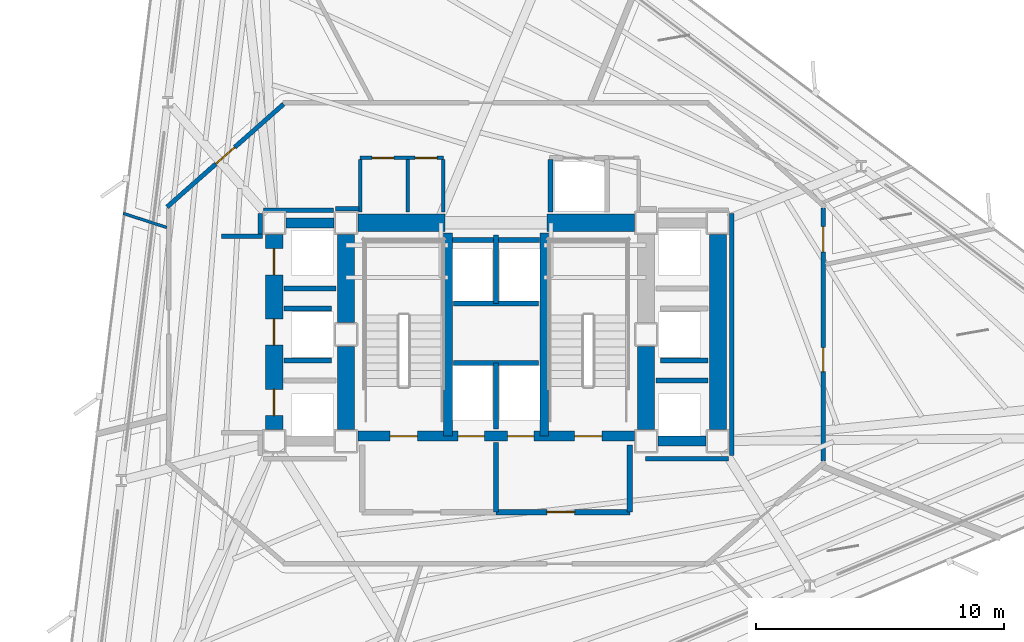
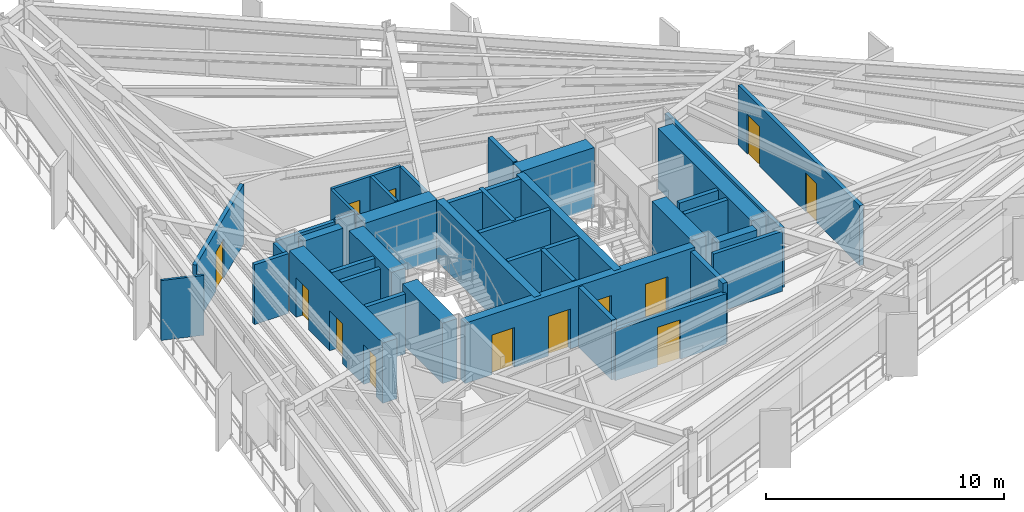
# One storey, part 7 of 13: 39 walls, 13 doors, 13 openings.
"""IFC4 building model written with IfcOpenShell, lengths in metres."""

import ifcopenshell
import ifcopenshell.guid

model = None  # the IFC model being written
_history = None  # IfcOwnerHistory: only IFC2X3 demands one
_inside = {}  # id of a spatial element -> (the spatial element, [elements in it])
_under = {}  # id of a project, library or spatial element -> (it, [spatial elements below it])
_declared = {}  # id of a project -> (the project, [libraries it declares])
_typed = {}  # id of a type object -> (the type object, [elements of that type])
_made_of = {}  # id of a material, layer set ... -> (it, [elements and type objects made of it])


def new_model(schema):
    """Start an empty IFC model of exactly this schema.

    Asked for "IFC4X3", IfcOpenShell would pick the latest addendum, in which some entities
    have other attributes; the version numbers below select the first issue.
    IFC2X3 requires an IfcOwnerHistory on every rooted entity: one is made here for all.
    """
    global model, _history
    if schema == "IFC4X3":
        model = ifcopenshell.file(schema_version=(4, 3, 0, 0))
    else:
        model = ifcopenshell.file(schema=schema)
    _inside.clear()
    _under.clear()
    _declared.clear()
    _typed.clear()
    _made_of.clear()
    _history = None
    if model.schema == "IFC2X3":
        org = make("IfcOrganization", Name="unknown")
        user = make(
            "IfcPersonAndOrganization",
            ThePerson=make("IfcPerson", FamilyName="unknown"),
            TheOrganization=org,
        )
        app = make(
            "IfcApplication",
            ApplicationDeveloper=org,
            Version="unknown",
            ApplicationFullName="unknown",
            ApplicationIdentifier="unknown",
        )
        _history = make(
            "IfcOwnerHistory",
            OwningUser=user,
            OwningApplication=app,
            ChangeAction="ADDED",
            CreationDate=0,
        )
    return model


def make(cls, **values):
    """One entity of the class cls with the attributes given. An attribute that is None is left unset."""
    return model.create_entity(
        cls, **{name: value for name, value in values.items() if value is not None}
    )


def rooted(cls, **values):
    """An entity with a GlobalId (a new one), such as an element, a storey or a relation."""
    return make(cls, GlobalId=ifcopenshell.guid.new(), OwnerHistory=_history, **values)


def si_unit(unit_type, name, prefix=None):
    """IfcSIUnit, for example si_unit("LENGTHUNIT", "METRE", prefix="MILLI")."""
    return make("IfcSIUnit", UnitType=unit_type, Prefix=prefix, Name=name)


def assignment(units):
    """IfcUnitAssignment: the units of a project."""
    return None if units is None else make("IfcUnitAssignment", Units=units)


def point(xyz):
    """IfcCartesianPoint."""
    return None if xyz is None else make("IfcCartesianPoint", Coordinates=xyz)


def direction(xyz):
    """IfcDirection."""
    return None if xyz is None else make("IfcDirection", DirectionRatios=xyz)


def frame(location, z_axis=None, x_axis=None):
    """IfcAxis2Placement3D, a coordinate frame: its origin and axes. An axis left out is left unset."""
    return make(
        "IfcAxis2Placement3D",
        Location=point(location),
        Axis=direction(z_axis),
        RefDirection=direction(x_axis),
    )


def frame_2d(location, x_axis=None):
    """IfcAxis2Placement2D, a coordinate frame in the plane: its origin and x axis."""
    return make(
        "IfcAxis2Placement2D", Location=point(location), RefDirection=direction(x_axis)
    )


def origin():
    """The frame at (0, 0, 0) with its axes left unset."""
    return frame((0.0, 0.0, 0.0))


def place(relative_to, where):
    """IfcLocalPlacement: puts the frame where relative to a parent placement (None: the world)."""
    return make(
        "IfcLocalPlacement", PlacementRelTo=relative_to, RelativePlacement=where
    )


def context(
    kind, dimensions, precision=None, world=None, true_north=None, identifier=None
):
    """IfcGeometricRepresentationContext, for example the 3D "Model" context."""
    return make(
        "IfcGeometricRepresentationContext",
        ContextIdentifier=identifier,
        ContextType=kind,
        CoordinateSpaceDimension=dimensions,
        Precision=precision,
        WorldCoordinateSystem=world,
        TrueNorth=true_north,
    )


def subcontext(parent, identifier, kind, view, scale=None):
    """IfcGeometricRepresentationSubContext, for example "Body" below "Model"."""
    return make(
        "IfcGeometricRepresentationSubContext",
        ContextIdentifier=identifier,
        ContextType=kind,
        ParentContext=parent,
        TargetScale=scale,
        TargetView=view,
    )


def project(units=None, contexts=None):
    """IfcProject with its units and contexts."""
    return rooted(
        "IfcProject",
        Name="project",
        RepresentationContexts=contexts,
        UnitsInContext=assignment(units),
    )


def spatial(cls, under=None, at=None, **own):
    """A site, building, storey or space (cls), placed at a placement, below another one or the project."""
    s = rooted(cls, ObjectPlacement=at, **own)
    if under is not None:
        _under.setdefault(under.id(), (under, []))[1].append(s)
    return s


def profile(cls, at=None, kind="AREA", **sizes):
    """A parametric profile (cls). Its sizes go by their IFC names, for example OverallWidth=200.0."""
    return make(cls, ProfileType=kind, Position=at, **sizes)


def rectangle(**sizes):
    """IfcRectangleProfileDef."""
    return profile("IfcRectangleProfileDef", **sizes)


def extrude(swept, where, along, depth):
    """IfcExtrudedAreaSolid: the profile swept, set in the frame where, extruded along a direction by depth."""
    return make(
        "IfcExtrudedAreaSolid",
        SweptArea=swept,
        Position=where,
        ExtrudedDirection=direction(along),
        Depth=depth,
    )


def shape(context_of_items, identifier, shape_type, items):
    """IfcShapeRepresentation: the items that make up one representation, for example the "Body"."""
    return make(
        "IfcShapeRepresentation",
        ContextOfItems=context_of_items,
        RepresentationIdentifier=identifier,
        RepresentationType=shape_type,
        Items=items,
    )


def material(Name=None, Category=None):
    """IfcMaterial."""
    return make("IfcMaterial", Name=Name, Category=Category)


def layer(
    of_material, thickness, ventilated=None, Name=None, Category=None, Priority=None
):
    """IfcMaterialLayer: one layer of a wall or slab, of a material (None: an air gap)."""
    return make(
        "IfcMaterialLayer",
        Material=of_material,
        LayerThickness=thickness,
        IsVentilated=ventilated,
        Name=Name,
        Category=Category,
        Priority=Priority,
    )


def layer_set(layers, Name=None):
    """IfcMaterialLayerSet."""
    return make("IfcMaterialLayerSet", MaterialLayers=layers, LayerSetName=Name)


def made_of(thing, what):
    """Note that an element or type object is made of a material, layer set ...; save() writes the relation."""
    if what is not None:
        _made_of.setdefault(what.id(), (what, []))[1].append(thing)
    return thing


def type_object(cls, material=None, **own):
    """A type object (cls), such as IfcWallType, which elements share."""
    return made_of(rooted(cls, **own), material)


def element(
    cls,
    number,
    at=None,
    inside=None,
    cuts=None,
    type_object=None,
    material=None,
    context=None,
    identifier="Body",
    shape_type=None,
    held_by="IfcProductDefinitionShape",
    body=None,
    shapes=None,
    **own,
):
    """One element of the class cls, such as IfcWall. Its Tag is "e" and its number.

    at: its placement. inside: the storey or other place that contains it. cuts: it is an
    opening in that element (IfcRelVoidsElement). A single representation is given by context,
    identifier, shape_type and body (its items); several are given by shapes. held_by: the class
    of the entity that holds the representations. save() writes the other relations.
    """
    e = rooted(cls, Tag="e%d" % number, ObjectPlacement=at, **own)
    if body is not None:
        shapes = [shape(context, identifier, shape_type, body)]
    if shapes is not None:
        e.Representation = make(held_by, Representations=shapes)
    if inside is not None:
        _inside.setdefault(inside.id(), (inside, []))[1].append(e)
    if cuts is not None:
        rooted(
            "IfcRelVoidsElement", RelatingBuildingElement=cuts, RelatedOpeningElement=e
        )
    if type_object is not None:
        _typed.setdefault(type_object.id(), (type_object, []))[1].append(e)
    return made_of(e, material)


def fill(opening, filler):
    """IfcRelFillsElement: the door or window that sits in an opening."""
    return rooted(
        "IfcRelFillsElement",
        RelatingOpeningElement=opening,
        RelatedBuildingElement=filler,
    )


def aggregate(whole, parts):
    """IfcRelAggregates: a whole, such as a stair, and the parts it consists of."""
    return rooted("IfcRelAggregates", RelatingObject=whole, RelatedObjects=parts)


def save(model, path):
    """Write the relations noted so far, then the file.

    IfcRelAggregates (storeys below a building ...), IfcRelContainedInSpatialStructure (elements
    in a storey), IfcRelDefinesByType, IfcRelAssociatesMaterial and IfcRelDeclares: one each for
    every whole, place, type object, material and project.
    """
    for whole, parts in _under.values():
        aggregate(whole, parts)
    for where, things in _inside.values():
        rooted(
            "IfcRelContainedInSpatialStructure",
            RelatedElements=things,
            RelatingStructure=where,
        )
    for kind, things in _typed.values():
        rooted("IfcRelDefinesByType", RelatedObjects=things, RelatingType=kind)
    for what, things in _made_of.values():
        rooted("IfcRelAssociatesMaterial", RelatedObjects=things, RelatingMaterial=what)
    for by, libraries in _declared.values():
        rooted("IfcRelDeclares", RelatingContext=by, RelatedDefinitions=libraries)
    model.write(path)


model = new_model("IFC4")

# Units and contexts
model_context = context("Model", 3, precision=1e-05, world=origin(), true_north=direction((0.0, 1.0)))
body_context = subcontext(model_context, "Body", "Model", "MODEL_VIEW")
ifc_project = project(units=[si_unit("LENGTHUNIT", "METRE"), si_unit("AREAUNIT", "SQUARE_METRE"), si_unit("VOLUMEUNIT", "CUBIC_METRE"), si_unit("PLANEANGLEUNIT", "RADIAN"), si_unit("MASSUNIT", "GRAM", prefix="KILO")], contexts=[model_context])

# Site, building, storey
site_placement = place(None, origin())
site = spatial("IfcSite", under=ifc_project, at=site_placement, CompositionType="ELEMENT")
building_placement = place(site_placement, origin())
building = spatial("IfcBuilding", under=site, at=building_placement, Name="Rocaltana Carrier Exchange", CompositionType="ELEMENT")
storey_placement = place(building_placement, frame((0.0, 0.0, 56.320068359375)))
storey = spatial("IfcBuildingStorey", under=building, at=storey_placement, Name="L17", CompositionType="ELEMENT", Elevation=56.320068359375)

# Walls
ifc_material_1 = material(Name="Concrete C50/60", Category="concrete")
ifc_layer_1 = layer(ifc_material_1, 0.35009765625)
ifc_layer_set_1 = layer_set([ifc_layer_1], Name="Concrete C50/60")
wall_type_1 = type_object("IfcWallType", Name="Core Internal Shear Wall 350", PredefinedType="SHEAR", material=ifc_layer_set_1)
for number, where, z_axis, x_axis, name in (
    (1, (-1.93994140625, -4.10009765625, 0.0), (0.0, 0.0, 1.0), (0.0, 1.0, 0.0), "L17 Core Shear Wall CW-STW"),
    (2, (1.93994140625, -4.10009765625, 0.0), (0.0, 0.0, 1.0), (0.0, 1.0, 0.0), "L17 Core Shear Wall CW-STE"),
):
    element("IfcWall", number, at=place(storey_placement, frame(where, z_axis=z_axis, x_axis=x_axis)), inside=storey, type_object=wall_type_1, Name=name, PredefinedType="SHEAR", context=body_context, shape_type="SweptSolid", body=[
        extrude(rectangle(XDim=8.2001953125, YDim=0.35009765625, at=frame_2d((4.10009765625, 0.0))), origin(), (0.0, 0.0, 1.0), 3.097900390625),
    ])

# Wall, openings, doors
ifc_material_2 = material(Name="Concrete C50/60", Category="concrete")
ifc_layer_2 = layer(ifc_material_2, 0.39990234375)
ifc_layer_set_2 = layer_set([ifc_layer_2], Name="Concrete C50/60")
wall_type_2 = type_object("IfcWallType", Name="Core Internal Shear Wall 400", PredefinedType="SHEAR", material=ifc_layer_set_2)
wall_1_placement = place(storey_placement, frame((-5.574951171875, -4.10009765625, 0.0), z_axis=(0.0, 0.0, 1.0), x_axis=(1.0, 0.0, 0.0)))
wall_1 = element("IfcWall", 3, at=wall_1_placement, inside=storey, type_object=wall_type_2, Name="L17 Core Shear Wall CW-S", PredefinedType="SHEAR", context=body_context, shape_type="SweptSolid", body=[
    extrude(rectangle(XDim=11.14990234375, YDim=0.39990234375, at=frame_2d((5.574951171875, 0.0))), origin(), (0.0, 0.0, 1.0), 3.097900390625),
])
opening_1_placement = place(wall_1_placement, frame((1.304931640625, 0.0, 0.0)))
opening_1 = element("IfcOpeningElement", 4, at=opening_1_placement, cuts=wall_1, Name="Opening D-ST110", PredefinedType="OPENING", context=body_context, shape_type="SweptSolid", body=[
    extrude(rectangle(XDim=1.10009765625, YDim=2.0400390625, at=frame_2d((0.550048828125, 1.02001953125))), frame((0.0, 0.2099609375, 0.0), z_axis=(0.0, -1.0, 0.0), x_axis=(1.0, 0.0, 0.0)), (0.0, 0.0, 1.0), 0.419921875),
])
opening_2_placement = place(wall_1_placement, frame((8.7451171875, 0.0, 0.0)))
opening_2 = element("IfcOpeningElement", 5, at=opening_2_placement, cuts=wall_1, Name="Opening D-ST110", PredefinedType="OPENING", context=body_context, shape_type="SweptSolid", body=[
    extrude(rectangle(XDim=1.10009765625, YDim=2.0400390625, at=frame_2d((0.550048828125, 1.02001953125))), frame((0.0, 0.2099609375, 0.0), z_axis=(0.0, -1.0, 0.0), x_axis=(1.0, 0.0, 0.0)), (0.0, 0.0, 1.0), 0.419921875),
])
opening_3_placement = place(wall_1_placement, frame((4.044921875, 0.0, 0.0)))
opening_3 = element("IfcOpeningElement", 6, at=opening_3_placement, cuts=wall_1, Name="Opening LD-110", PredefinedType="OPENING", context=body_context, shape_type="SweptSolid", body=[
    extrude(rectangle(XDim=1.06005859375, YDim=2.0400390625, at=frame_2d((0.530029296875, 1.02001953125))), frame((0.0, 0.2099609375, 0.0), z_axis=(0.0, -1.0, 0.0), x_axis=(1.0, 0.0, 0.0)), (0.0, 0.0, 1.0), 0.419921875),
])
opening_4_placement = place(wall_1_placement, frame((6.044921875, 0.0, 0.0)))
opening_4 = element("IfcOpeningElement", 7, at=opening_4_placement, cuts=wall_1, Name="Opening LD-110", PredefinedType="OPENING", context=body_context, shape_type="SweptSolid", body=[
    extrude(rectangle(XDim=1.06005859375, YDim=2.0400390625, at=frame_2d((0.530029296875, 1.02001953125))), frame((0.0, 0.2099609375, 0.0), z_axis=(0.0, -1.0, 0.0), x_axis=(1.0, 0.0, 0.0)), (0.0, 0.0, 1.0), 0.419921875),
])
ifc_material_3 = material(Name="Hollow Metal Fire Door Assembly", Category="steel")
door_type_1 = type_object("IfcDoorType", Name="Exit Stair Fire Door 1100x2040 FD90S", OperationType="NOTDEFINED", PredefinedType="DOOR", material=ifc_material_3)
door_1_placement = place(opening_1_placement, origin())
door_1 = element("IfcDoor", 8, at=door_1_placement, inside=storey, type_object=door_type_1, Name="L17 Exit Stair ST1 Fire Door", OperationType="SINGLE_SWING_RIGHT", OverallHeight=2.0400390625, OverallWidth=1.10009765625, PredefinedType="DOOR", context=body_context, shape_type="SweptSolid", body=[
    extrude(rectangle(XDim=1.10009765625, YDim=2.0400390625, at=frame_2d((0.550048828125, 1.02001953125))), frame((0.0, 0.02490234375, 0.0), z_axis=(0.0, -1.0, 0.0), x_axis=(1.0, 0.0, 0.0)), (0.0, 0.0, 1.0), 0.050048828125),
])
fill(opening_1, door_1)
door_2_placement = place(opening_2_placement, origin())
door_2 = element("IfcDoor", 9, at=door_2_placement, inside=storey, type_object=door_type_1, Name="L17 Exit Stair ST2 Fire Door", OperationType="SINGLE_SWING_LEFT", OverallHeight=2.0400390625, OverallWidth=1.10009765625, PredefinedType="DOOR", context=body_context, shape_type="SweptSolid", body=[
    extrude(rectangle(XDim=1.10009765625, YDim=2.0400390625, at=frame_2d((0.550048828125, 1.02001953125))), frame((0.0, 0.02490234375, 0.0), z_axis=(0.0, -1.0, 0.0), x_axis=(1.0, 0.0, 0.0)), (0.0, 0.0, 1.0), 0.050048828125),
])
fill(opening_2, door_2)
ifc_material_4 = material(Name="Brushed Stainless Sliding Door Leaf", Category="steel")
door_type_2 = type_object("IfcDoorType", Name="Lift Landing Sliding Door 1060x2040", OperationType="NOTDEFINED", PredefinedType="DOOR", material=ifc_material_4)
door_3_placement = place(opening_3_placement, origin())
door_3 = element("IfcDoor", 10, at=door_3_placement, inside=storey, type_object=door_type_2, Name="L17 Firefighting Lift FFL1 Landing Door", OperationType="SLIDING_TO_LEFT", OverallHeight=2.0400390625, OverallWidth=1.06005859375, PredefinedType="DOOR", context=body_context, shape_type="SweptSolid", body=[
    extrude(rectangle(XDim=1.06005859375, YDim=2.0400390625, at=frame_2d((0.530029296875, 1.02001953125))), frame((0.0, 0.02490234375, 0.0), z_axis=(0.0, -1.0, 0.0), x_axis=(1.0, 0.0, 0.0)), (0.0, 0.0, 1.0), 0.050048828125),
])
fill(opening_3, door_3)
door_4_placement = place(opening_4_placement, origin())
door_4 = element("IfcDoor", 11, at=door_4_placement, inside=storey, type_object=door_type_2, Name="L17 Firefighting Lift FFL2 Landing Door", OperationType="SLIDING_TO_RIGHT", OverallHeight=2.0400390625, OverallWidth=1.06005859375, PredefinedType="DOOR", context=body_context, shape_type="SweptSolid", body=[
    extrude(rectangle(XDim=1.06005859375, YDim=2.0400390625, at=frame_2d((0.530029296875, 1.02001953125))), frame((0.0, 0.02490234375, 0.0), z_axis=(0.0, -1.0, 0.0), x_axis=(1.0, 0.0, 0.0)), (0.0, 0.0, 1.0), 0.050048828125),
])
fill(opening_4, door_4)

# Walls
for number, where, z_axis, x_axis, name in (
    (12, (-8.47509765625, 4.5, 0.0), (0.0, 0.0, 1.0), (1.0, 0.0, 0.0), "L17 Core Shear Wall CW-WWN"),
    (13, (6.52490234375, -4.300048828125, 0.0), (0.0, 0.0, 1.0), (1.0, 0.0, 0.0), "L17 Core Shear Wall CW-EWS"),
):
    element("IfcWall", number, at=place(storey_placement, frame(where, z_axis=z_axis, x_axis=x_axis)), inside=storey, type_object=wall_type_2, Name=name, PredefinedType="SHEAR", context=body_context, shape_type="SweptSolid", body=[
        extrude(rectangle(XDim=1.9501953125, YDim=0.39990234375, at=frame_2d((0.97509765625, 0.0))), origin(), (0.0, 0.0, 1.0), 3.097900390625),
    ])
ifc_material_5 = material(Name="Concrete C60/75", Category="concrete")
ifc_layer_3 = layer(ifc_material_5, 0.699951171875)
ifc_layer_set_3 = layer_set([ifc_layer_3], Name="Concrete C60/75")
wall_type_3 = type_object("IfcWallType", Name="Core Shear Wall 700", PredefinedType="SHEAR", material=ifc_layer_set_3)
wall_2_placement = place(storey_placement, frame((-6.050048828125, 0.47509765625, 0.0), z_axis=(0.0, 0.0, 1.0), x_axis=(0.0, 1.0, 0.0)))
element("IfcWall", 14, at=wall_2_placement, inside=storey, type_object=wall_type_3, Name="L17 Core Shear Wall CW-WN", PredefinedType="SHEAR", context=body_context, shape_type="SweptSolid", body=[
    extrude(rectangle(XDim=3.5498046875, YDim=0.699951171875, at=frame_2d((1.77490234375, 0.0))), origin(), (0.0, 0.0, 1.0), 3.097900390625),
])
for number, where, z_axis, x_axis, name in (
    (15, (-6.050048828125, -3.824951171875, 0.0), (0.0, 0.0, 1.0), (0.0, 1.0, 0.0), "L17 Core Shear Wall CW-WS"),
    (16, (6.050048828125, -3.824951171875, 0.0), (0.0, 0.0, 1.0), (0.0, 1.0, 0.0), "L17 Core Shear Wall CW-ES"),
):
    element("IfcWall", number, at=place(storey_placement, frame(where, z_axis=z_axis, x_axis=x_axis)), inside=storey, type_object=wall_type_3, Name=name, PredefinedType="SHEAR", context=body_context, shape_type="SweptSolid", body=[
        extrude(rectangle(XDim=3.349853515625, YDim=0.699951171875, at=frame_2d((1.6748046875, 0.0))), origin(), (0.0, 0.0, 1.0), 3.097900390625),
    ])
for number, where, z_axis, x_axis, name in (
    (17, (-5.574951171875, 4.5, 0.0), (0.0, 0.0, 1.0), (1.0, 0.0, 0.0), "L17 Core Shear Wall CW-N1"),
    (18, (2.050048828125, 4.5, 0.0), (0.0, 0.0, 1.0), (1.0, 0.0, 0.0), "L17 Core Shear Wall CW-N2"),
):
    element("IfcWall", number, at=place(storey_placement, frame(where, z_axis=z_axis, x_axis=x_axis)), inside=storey, type_object=wall_type_3, Name=name, PredefinedType="SHEAR", context=body_context, shape_type="SweptSolid", body=[
        extrude(rectangle(XDim=3.52490234375, YDim=0.699951171875, at=frame_2d((1.762451171875, 0.0))), origin(), (0.0, 0.0, 1.0), 3.097900390625),
    ])

# Wall, openings, doors
wall_3_placement = place(storey_placement, frame((-8.949951171875, -3.824951171875, 0.0), z_axis=(0.0, 0.0, 1.0), x_axis=(0.0, 1.0, 0.0)))
wall_3 = element("IfcWall", 19, at=wall_3_placement, inside=storey, type_object=wall_type_3, Name="L17 Core Shear Wall CW-WW", PredefinedType="SHEAR", context=body_context, shape_type="SweptSolid", body=[
    extrude(rectangle(XDim=7.849853515625, YDim=0.699951171875, at=frame_2d((3.9248046875, 0.0))), origin(), (0.0, 0.0, 1.0), 3.097900390625),
])
opening_5_placement = place(wall_3_placement, frame((0.550048828125, 0.0, 0.0)))
opening_5 = element("IfcOpeningElement", 20, at=opening_5_placement, cuts=wall_3, Name="Opening LD-110", PredefinedType="OPENING", context=body_context, shape_type="SweptSolid", body=[
    extrude(rectangle(XDim=1.06005859375, YDim=2.0400390625, at=frame_2d((0.530029296875, 1.02001953125))), frame((0.0, 0.35986328125, 0.0), z_axis=(0.0, -1.0, 0.0), x_axis=(1.0, 0.0, 0.0)), (0.0, 0.0, 1.0), 0.719970703125),
])
opening_6_placement = place(wall_3_placement, frame((3.39501953125, 0.0, 0.0)))
opening_6 = element("IfcOpeningElement", 21, at=opening_6_placement, cuts=wall_3, Name="Opening LD-110", PredefinedType="OPENING", context=body_context, shape_type="SweptSolid", body=[
    extrude(rectangle(XDim=1.06005859375, YDim=2.0400390625, at=frame_2d((0.530029296875, 1.02001953125))), frame((0.0, 0.35986328125, 0.0), z_axis=(0.0, -1.0, 0.0), x_axis=(1.0, 0.0, 0.0)), (0.0, 0.0, 1.0), 0.719970703125),
])
opening_7_placement = place(wall_3_placement, frame((6.22998046875, 0.0, 0.0)))
opening_7 = element("IfcOpeningElement", 22, at=opening_7_placement, cuts=wall_3, Name="Opening LD-110", PredefinedType="OPENING", context=body_context, shape_type="SweptSolid", body=[
    extrude(rectangle(XDim=1.06005859375, YDim=2.0400390625, at=frame_2d((0.530029296875, 1.02001953125))), frame((0.0, 0.35986328125, 0.0), z_axis=(0.0, -1.0, 0.0), x_axis=(1.0, 0.0, 0.0)), (0.0, 0.0, 1.0), 0.719970703125),
])
door_5_placement = place(opening_5_placement, origin())
door_5 = element("IfcDoor", 23, at=door_5_placement, inside=storey, type_object=door_type_2, Name="L17 Low-Rise Lift PL-L1 Landing Door", OperationType="SLIDING_TO_LEFT", OverallHeight=2.0400390625, OverallWidth=1.06005859375, PredefinedType="DOOR", context=body_context, shape_type="SweptSolid", body=[
    extrude(rectangle(XDim=1.06005859375, YDim=2.0400390625, at=frame_2d((0.530029296875, 1.02001953125))), frame((0.0, 0.02490234375, 0.0), z_axis=(0.0, -1.0, 0.0), x_axis=(1.0, 0.0, 0.0)), (0.0, 0.0, 1.0), 0.050048828125),
])
fill(opening_5, door_5)
door_6_placement = place(opening_6_placement, origin())
door_6 = element("IfcDoor", 24, at=door_6_placement, inside=storey, type_object=door_type_2, Name="L17 Low-Rise Lift PL-L2 Landing Door", OperationType="SLIDING_TO_RIGHT", OverallHeight=2.0400390625, OverallWidth=1.06005859375, PredefinedType="DOOR", context=body_context, shape_type="SweptSolid", body=[
    extrude(rectangle(XDim=1.06005859375, YDim=2.0400390625, at=frame_2d((0.530029296875, 1.02001953125))), frame((0.0, 0.02490234375, 0.0), z_axis=(0.0, -1.0, 0.0), x_axis=(1.0, 0.0, 0.0)), (0.0, 0.0, 1.0), 0.050048828125),
])
fill(opening_6, door_6)
door_7_placement = place(opening_7_placement, origin())
door_7 = element("IfcDoor", 25, at=door_7_placement, inside=storey, type_object=door_type_2, Name="L17 Low-Rise Lift PL-L3 Landing Door", OperationType="SLIDING_TO_LEFT", OverallHeight=2.0400390625, OverallWidth=1.06005859375, PredefinedType="DOOR", context=body_context, shape_type="SweptSolid", body=[
    extrude(rectangle(XDim=1.06005859375, YDim=2.0400390625, at=frame_2d((0.530029296875, 1.02001953125))), frame((0.0, 0.02490234375, 0.0), z_axis=(0.0, -1.0, 0.0), x_axis=(1.0, 0.0, 0.0)), (0.0, 0.0, 1.0), 0.050048828125),
])
fill(opening_7, door_7)

# Wall
wall_4_placement = place(storey_placement, frame((8.949951171875, -3.824951171875, 0.0), z_axis=(0.0, 0.0, 1.0), x_axis=(0.0, 1.0, 0.0)))
element("IfcWall", 26, at=wall_4_placement, inside=storey, type_object=wall_type_3, Name="L17 Core Shear Wall CW-EW", PredefinedType="SHEAR", context=body_context, shape_type="SweptSolid", body=[
    extrude(rectangle(XDim=7.849853515625, YDim=0.699951171875, at=frame_2d((3.9248046875, 0.0))), origin(), (0.0, 0.0, 1.0), 3.097900390625),
])

# Wall, openings, doors
ifc_material_6 = material(Name="Gypsum & Steel Stud Partition", Category="steel")
ifc_layer_4 = layer(ifc_material_6, 0.179931640625)
ifc_layer_set_4 = layer_set([ifc_layer_4], Name="Gypsum & Steel Stud Partition")
wall_type_4 = type_object("IfcWallType", Name="Corridor Fire Partition 180 EI60", PredefinedType="PARTITIONING", material=ifc_layer_set_4)
wall_5_placement = place(storey_placement, frame((13.199951171875, 5.110107421875, 0.0), z_axis=(0.0, 0.0, 1.0), x_axis=(0.0, -1.0, 0.0)))
wall_5 = element("IfcWall", 27, at=wall_5_placement, inside=storey, type_object=wall_type_4, Name="L17 Corridor Partition 3", PredefinedType="PARTITIONING", context=body_context, shape_type="SweptSolid", body=[
    extrude(rectangle(XDim=10.22021484375, YDim=0.179931640625, at=frame_2d((5.110107421875, 0.0))), origin(), (0.0, 0.0, 1.0), 3.072998046875),
])
opening_8_placement = place(wall_5_placement, frame((5.644287109375, 0.0, 0.0)))
opening_8 = element("IfcOpeningElement", 28, at=opening_8_placement, cuts=wall_5, Name="Opening D-RM098", PredefinedType="OPENING", context=body_context, shape_type="SweptSolid", body=[
    extrude(rectangle(XDim=0.9599609375, YDim=2.02001953125, at=frame_2d((0.47998046875, 1.010009765625))), frame((0.0, 0.099853515625, 0.0), z_axis=(0.0, -1.0, 0.0), x_axis=(1.0, 0.0, 0.0)), (0.0, 0.0, 1.0), 0.199951171875),
])
opening_9_placement = place(wall_5_placement, frame((0.762939453125, 0.0, 0.0)))
opening_9 = element("IfcOpeningElement", 29, at=opening_9_placement, cuts=wall_5, Name="Opening D-LB104", PredefinedType="OPENING", context=body_context, shape_type="SweptSolid", body=[
    extrude(rectangle(XDim=1.02001953125, YDim=2.02001953125, at=frame_2d((0.510009765625, 1.010009765625))), frame((0.0, 0.099853515625, 0.0), z_axis=(0.0, -1.0, 0.0), x_axis=(1.0, 0.0, 0.0)), (0.0, 0.0, 1.0), 0.199951171875),
])
ifc_material_7 = material(Name="Powder-Coated Aluminium 6063-T6", Category="aluminium")
door_type_3 = type_object("IfcDoorType", Name="Laboratory Acoustic Door 1020x2020", OperationType="NOTDEFINED", PredefinedType="DOOR", material=ifc_material_7)
door_8_placement = place(opening_9_placement, origin())
door_8 = element("IfcDoor", 30, at=door_8_placement, inside=storey, type_object=door_type_3, Name="L17 Protocol Calibration Laboratory Entrance Door", OperationType="SINGLE_SWING_LEFT", OverallHeight=2.02001953125, OverallWidth=1.02001953125, PredefinedType="DOOR", context=body_context, shape_type="SweptSolid", body=[
    extrude(rectangle(XDim=1.02001953125, YDim=2.02001953125, at=frame_2d((0.510009765625, 1.010009765625))), frame((0.0, 0.02490234375, 0.0), z_axis=(0.0, -1.0, 0.0), x_axis=(1.0, 0.0, 0.0)), (0.0, 0.0, 1.0), 0.050048828125),
])
fill(opening_9, door_8)
ifc_material_8 = material(Name="Engineered Hardwood Timber", Category="wood")
door_type_4 = type_object("IfcDoorType", Name="Workspace Single Door 960x2020", OperationType="NOTDEFINED", PredefinedType="DOOR", material=ifc_material_8)
door_9_placement = place(opening_8_placement, origin())
door_9 = element("IfcDoor", 31, at=door_9_placement, inside=storey, type_object=door_type_4, Name="L17 Peering Conference Room Entrance Door", OperationType="SINGLE_SWING_RIGHT", OverallHeight=2.02001953125, OverallWidth=0.9599609375, PredefinedType="DOOR", context=body_context, shape_type="SweptSolid", body=[
    extrude(rectangle(XDim=0.9599609375, YDim=2.02001953125, at=frame_2d((0.47998046875, 1.010009765625))), frame((0.0, 0.02490234375, 0.0), z_axis=(0.0, -1.0, 0.0), x_axis=(1.0, 0.0, 0.0)), (0.0, 0.0, 1.0), 0.050048828125),
])
fill(opening_8, door_9)

# Wall, opening, door
wall_6_placement = place(storey_placement, frame((-13.267578125, 5.140380859375, 0.0), z_axis=(0.0, 0.0, 1.0), x_axis=(0.749626463267, 0.66186113768, 0.0)))
wall_6 = element("IfcWall", 32, at=wall_6_placement, inside=storey, type_object=wall_type_4, Name="L17 Corridor Partition 8", PredefinedType="PARTITIONING", context=body_context, shape_type="SweptSolid", body=[
    extrude(rectangle(XDim=6.27001953125, YDim=0.179931640625, at=frame_2d((3.135009765625, 0.0))), origin(), (0.0, 0.0, 1.0), 3.072998046875),
])
opening_10_placement = place(wall_6_placement, frame((2.625, 0.0, 0.0)))
opening_10 = element("IfcOpeningElement", 33, at=opening_10_placement, cuts=wall_6, Name="Opening D-LB104", PredefinedType="OPENING", context=body_context, shape_type="SweptSolid", body=[
    extrude(rectangle(XDim=1.02001953125, YDim=2.02001953125, at=frame_2d((0.510009765625, 1.010009765625))), frame((0.0, 0.099853515625, 0.0), z_axis=(0.0, -1.0, 0.0), x_axis=(1.0, 0.0, 0.0)), (0.0, 0.0, 1.0), 0.199951171875),
])
door_10_placement = place(opening_10_placement, origin())
door_10 = element("IfcDoor", 34, at=door_10_placement, inside=storey, type_object=door_type_3, Name="L17 Photonic Integration Workshop Entrance Door", OperationType="SINGLE_SWING_RIGHT", OverallHeight=2.02001953125, OverallWidth=1.02001953125, PredefinedType="DOOR", context=body_context, shape_type="SweptSolid", body=[
    extrude(rectangle(XDim=1.02001953125, YDim=2.02001953125, at=frame_2d((0.510009765625, 1.010009765625))), frame((0.0, 0.02490234375, 0.0), z_axis=(0.0, -1.0, 0.0), x_axis=(1.0, 0.0, 0.0)), (0.0, 0.0, 1.0), 0.050048828125),
])
fill(opening_10, door_10)

# Walls
wall_7_placement = place(storey_placement, frame((-9.510009765625, 4.8701171875, 0.0), z_axis=(0.0, 0.0, 1.0), x_axis=(0.0, -1.0, 0.0)))
element("IfcWall", 35, at=wall_7_placement, inside=storey, type_object=wall_type_4, Name="L17 Corridor Partition 9", PredefinedType="PARTITIONING", context=body_context, shape_type="SweptSolid", body=[
    extrude(rectangle(XDim=0.820068359375, YDim=0.179931640625, at=frame_2d((0.41015625, 0.0))), origin(), (0.0, 0.0, 1.0), 3.072998046875),
])
wall_8_placement = place(storey_placement, frame((-9.419921875, 3.9599609375, 0.0), z_axis=(0.0, 0.0, 1.0), x_axis=(-1.0, 0.0, 0.0)))
element("IfcWall", 36, at=wall_8_placement, inside=storey, type_object=wall_type_4, Name="L17 Corridor Partition 10", PredefinedType="PARTITIONING", context=body_context, shape_type="SweptSolid", body=[
    extrude(rectangle(XDim=1.650146484375, YDim=0.179931640625, at=frame_2d((0.8251953125, 0.0))), origin(), (0.0, 0.0, 1.0), 3.072998046875),
])
wall_9_placement = place(storey_placement, frame((6.030029296875, -5.010009765625, 0.0), z_axis=(0.0, 0.0, 1.0), x_axis=(1.0, 0.0, 0.0)))
element("IfcWall", 37, at=wall_9_placement, inside=storey, type_object=wall_type_4, Name="L17 Corridor Partition 16", PredefinedType="PARTITIONING", context=body_context, shape_type="SweptSolid", body=[
    extrude(rectangle(XDim=3.340087890625, YDim=0.179931640625, at=frame_2d((1.669921875, 0.0))), origin(), (0.0, 0.0, 1.0), 3.072998046875),
])
wall_10_placement = place(storey_placement, frame((9.510009765625, -4.8701171875, 0.0), z_axis=(0.0, 0.0, 1.0), x_axis=(0.0, 1.0, 0.0)))
element("IfcWall", 38, at=wall_10_placement, inside=storey, type_object=wall_type_4, Name="L17 Corridor Partition 17", PredefinedType="PARTITIONING", context=body_context, shape_type="SweptSolid", body=[
    extrude(rectangle(XDim=9.740234375, YDim=0.179931640625, at=frame_2d((4.8701171875, 0.0))), origin(), (0.0, 0.0, 1.0), 3.072998046875),
])
wall_11_placement = place(storey_placement, frame((-5.52001953125, 5.080078125, 0.0), z_axis=(0.0, 0.0, 1.0), x_axis=(-1.0, 0.0, 0.0)))
element("IfcWall", 39, at=wall_11_placement, inside=storey, type_object=wall_type_4, Name="L17 Corridor Partition 22", PredefinedType="PARTITIONING", context=body_context, shape_type="SweptSolid", body=[
    extrude(rectangle(XDim=0.949951171875, YDim=0.179931640625, at=frame_2d((0.47509765625, 0.0))), origin(), (0.0, 0.0, 1.0), 3.072998046875),
])
wall_12_placement = place(storey_placement, frame((-6.562255859375, 5.010009765625, 0.0), z_axis=(0.0, 0.0, 1.0), x_axis=(-1.0, 0.0, 0.0)))
element("IfcWall", 40, at=wall_12_placement, inside=storey, type_object=wall_type_4, Name="L17 Corridor Partition 23", PredefinedType="PARTITIONING", context=body_context, shape_type="SweptSolid", body=[
    extrude(rectangle(XDim=2.807861328125, YDim=0.179931640625, at=frame_2d((1.40380859375, 0.0))), origin(), (0.0, 0.0, 1.0), 3.072998046875),
])
ifc_material_9 = material(Name="Aluminium 6063-T6 & Acoustic Glass", Category="aluminium")
ifc_layer_5 = layer(ifc_material_9, 0.114990234375)
ifc_layer_set_5 = layer_set([ifc_layer_5], Name="Aluminium 6063-T6 & Acoustic Glass")
wall_type_5 = type_object("IfcWallType", Name="Demountable Glazed Lab Partition 115", PredefinedType="MOVABLE", material=ifc_layer_set_5)
wall_13_placement = place(storey_placement, frame((-13.280029296875, 4.31494140625, 0.0), z_axis=(0.0, 0.0, 1.0), x_axis=(-0.951047661396, 0.309044245624, 0.0)))
element("IfcWall", 41, at=wall_13_placement, inside=storey, type_object=wall_type_5, Name="L17 Suite Divider Wall D9", PredefinedType="MOVABLE", context=body_context, shape_type="SweptSolid", body=[
    extrude(rectangle(XDim=1.84765625, YDim=0.114990234375, at=frame_2d((0.923828125, 0.0))), origin(), (0.0, 0.0, 1.0), 3.072998046875),
])
ifc_material_10 = material(Name="Autoclaved Aerated Concrete C30/37", Category="concrete")
ifc_layer_6 = layer(ifc_material_10, 0.219970703125)
ifc_layer_set_6 = layer_set([ifc_layer_6], Name="Autoclaved Aerated Concrete C30/37")
wall_type_6 = type_object("IfcWallType", Name="Firefighting Lobby Wall 220 EI120", PredefinedType="PARTITIONING", material=ifc_layer_set_6)
wall_14_placement = place(storey_placement, frame((5.39990234375, -7.159912109375, 0.0), z_axis=(0.0, 0.0, 1.0), x_axis=(0.0, 1.0, 0.0)))
element("IfcWall", 42, at=wall_14_placement, inside=storey, type_object=wall_type_6, Name="L17 FFL Lobby 2 East Wall", PredefinedType="PARTITIONING", context=body_context, shape_type="SweptSolid", body=[
    extrude(rectangle(XDim=2.7099609375, YDim=0.219970703125, at=frame_2d((1.35498046875, 0.0))), origin(), (0.0, 0.0, 1.0), 3.072998046875),
])
wall_15_placement = place(storey_placement, frame((0.0, -7.159912109375, 0.0), z_axis=(0.0, 0.0, 1.0), x_axis=(0.0, 1.0, 0.0)))
element("IfcWall", 43, at=wall_15_placement, inside=storey, type_object=wall_type_6, Name="L17 FFL Lobby Centre Wall", PredefinedType="PARTITIONING", context=body_context, shape_type="SweptSolid", body=[
    extrude(rectangle(XDim=2.809814453125, YDim=0.219970703125, at=frame_2d((1.40478515625, 0.0))), origin(), (0.0, 0.0, 1.0), 3.072998046875),
])

# Wall, opening, door
wall_16_placement = place(storey_placement, frame((0.0, -7.159912109375, 0.0), z_axis=(0.0, 0.0, 1.0), x_axis=(1.0, 0.0, 0.0)))
wall_16 = element("IfcWall", 44, at=wall_16_placement, inside=storey, type_object=wall_type_6, Name="L17 FFL Lobby 2 South Wall", PredefinedType="PARTITIONING", context=body_context, shape_type="SweptSolid", body=[
    extrude(rectangle(XDim=5.39990234375, YDim=0.219970703125, at=frame_2d((2.699951171875, 0.0))), origin(), (0.0, 0.0, 1.0), 2.5869140625),
])
opening_11_placement = place(wall_16_placement, frame((2.050048828125, 0.0, 0.0)))
opening_11 = element("IfcOpeningElement", 45, at=opening_11_placement, cuts=wall_16, Name="Opening D-FF115", PredefinedType="OPENING", context=body_context, shape_type="SweptSolid", body=[
    extrude(rectangle(XDim=1.1201171875, YDim=2.02001953125, at=frame_2d((0.56005859375, 1.010009765625))), frame((0.0, 0.119873046875, 0.0), z_axis=(0.0, -1.0, 0.0), x_axis=(1.0, 0.0, 0.0)), (0.0, 0.0, 1.0), 0.239990234375),
])
ifc_material_11 = material(Name="Hollow Metal Fire Door Assembly", Category="steel")
door_type_5 = type_object("IfcDoorType", Name="Firefighting Lobby Door 1120x2020 FD60S", OperationType="NOTDEFINED", PredefinedType="DOOR", material=ifc_material_11)
door_11_placement = place(opening_11_placement, origin())
door_11 = element("IfcDoor", 46, at=door_11_placement, inside=storey, type_object=door_type_5, Name="L17 Firefighting Lift Lobby 2 Door", OperationType="SINGLE_SWING_LEFT", OverallHeight=2.02001953125, OverallWidth=1.1201171875, PredefinedType="DOOR", context=body_context, shape_type="SweptSolid", body=[
    extrude(rectangle(XDim=1.1201171875, YDim=2.02001953125, at=frame_2d((0.56005859375, 1.010009765625))), frame((0.0, 0.02490234375, 0.0), z_axis=(0.0, -1.0, 0.0), x_axis=(1.0, 0.0, 0.0)), (0.0, 0.0, 1.0), 0.050048828125),
])
fill(opening_11, door_11)

# Walls
ifc_material_12 = material(Name="Reinforced Concrete Block C35/45", Category="concrete")
ifc_layer_7 = layer(ifc_material_12, 0.199951171875)
ifc_layer_set_7 = layer_set([ifc_layer_7], Name="Reinforced Concrete Block C35/45")
wall_type_7 = type_object("IfcWallType", Name="Lift Hoistway Enclosure Wall 200 EI120", PredefinedType="PARTITIONING", material=ifc_layer_set_7)
wall_17_placement = place(storey_placement, frame((0.0, -3.820068359375, 0.0), z_axis=(0.0, 0.0, 1.0), x_axis=(0.0, 1.0, 0.0)))
element("IfcWall", 47, at=wall_17_placement, inside=storey, type_object=wall_type_7, Name="L17 FFL Shaft Divider", PredefinedType="PARTITIONING", context=body_context, shape_type="SweptSolid", body=[
    extrude(rectangle(XDim=2.670166015625, YDim=0.199951171875, at=frame_2d((1.3349609375, 0.0))), origin(), (0.0, 0.0, 1.0), 3.072998046875),
])
wall_18_placement = place(storey_placement, frame((-1.719970703125, -1.14990234375, 0.0), z_axis=(0.0, 0.0, 1.0), x_axis=(1.0, 0.0, 0.0)))
element("IfcWall", 48, at=wall_18_placement, inside=storey, type_object=wall_type_7, Name="L17 FFL Shaft Back Wall", PredefinedType="PARTITIONING", context=body_context, shape_type="SweptSolid", body=[
    extrude(rectangle(XDim=3.43994140625, YDim=0.199951171875, at=frame_2d((1.719970703125, 0.0))), origin(), (0.0, 0.0, 1.0), 3.072998046875),
])
wall_19_placement = place(storey_placement, frame((0.0, 1.25, 0.0), z_axis=(0.0, 0.0, 1.0), x_axis=(0.0, 1.0, 0.0)))
element("IfcWall", 49, at=wall_19_placement, inside=storey, type_object=wall_type_7, Name="L17 High-Rise Shaft Divider", PredefinedType="PARTITIONING", context=body_context, shape_type="SweptSolid", body=[
    extrude(rectangle(XDim=2.77001953125, YDim=0.199951171875, at=frame_2d((1.385009765625, 0.0))), origin(), (0.0, 0.0, 1.0), 3.072998046875),
])
wall_20_placement = place(storey_placement, frame((-1.719970703125, 1.25, 0.0), z_axis=(0.0, 0.0, 1.0), x_axis=(1.0, 0.0, 0.0)))
element("IfcWall", 50, at=wall_20_placement, inside=storey, type_object=wall_type_7, Name="L17 High-Rise Shaft Back Wall", PredefinedType="PARTITIONING", context=body_context, shape_type="SweptSolid", body=[
    extrude(rectangle(XDim=3.43994140625, YDim=0.199951171875, at=frame_2d((1.719970703125, 0.0))), origin(), (0.0, 0.0, 1.0), 3.072998046875),
])
wall_21_placement = place(storey_placement, frame((-1.760009765625, 3.820068359375, 0.0), z_axis=(0.0, 0.0, 1.0), x_axis=(1.0, 0.0, 0.0)))
element("IfcWall", 51, at=wall_21_placement, inside=storey, type_object=wall_type_7, Name="L17 High-Rise Lift Front Wall", PredefinedType="PARTITIONING", context=body_context, shape_type="SweptSolid", body=[
    extrude(rectangle(XDim=3.52001953125, YDim=0.199951171875, at=frame_2d((1.760009765625, 0.0))), origin(), (0.0, 0.0, 1.0), 3.072998046875),
])
for number, where, z_axis, x_axis, name in (
    (52, (2.199951171875, 4.949951171875, 0.0), (0.0, 0.0, 1.0), (0.0, 1.0, 0.0), "L17 Goods Lift West Wall"),
    (53, (-8.550048828125, 1.85009765625, 0.0), (0.0, 0.0, 1.0), (1.0, 0.0, 0.0), "L17 Low-Rise Shaft Divider 2"),
):
    element("IfcWall", number, at=place(storey_placement, frame(where, z_axis=z_axis, x_axis=x_axis)), inside=storey, type_object=wall_type_7, Name=name, PredefinedType="PARTITIONING", context=body_context, shape_type="SweptSolid", body=[
        extrude(rectangle(XDim=2.10009765625, YDim=0.199951171875, at=frame_2d((1.050048828125, 0.0))), origin(), (0.0, 0.0, 1.0), 3.072998046875),
    ])
for number, where, z_axis, x_axis, name in (
    (54, (-8.550048828125, -1.050048828125, 0.0), (0.0, 0.0, 1.0), (1.0, 0.0, 0.0), "L17 Low-Rise Center Shaft Wall South"),
    (55, (-8.550048828125, 1.050048828125, 0.0), (0.0, 0.0, 1.0), (1.0, 0.0, 0.0), "L17 Low-Rise Center Shaft Wall North"),
):
    element("IfcWall", number, at=place(storey_placement, frame(where, z_axis=z_axis, x_axis=x_axis)), inside=storey, type_object=wall_type_7, Name=name, PredefinedType="PARTITIONING", context=body_context, shape_type="SweptSolid", body=[
        extrude(rectangle(XDim=1.91015625, YDim=0.199951171875, at=frame_2d((0.955078125, 0.0))), origin(), (0.0, 0.0, 1.0), 3.072998046875),
    ])
wall_22_placement = place(storey_placement, frame((6.449951171875, -1.85009765625, 0.0), z_axis=(0.0, 0.0, 1.0), x_axis=(1.0, 0.0, 0.0)))
element("IfcWall", 56, at=wall_22_placement, inside=storey, type_object=wall_type_7, Name="L17 Mid-Rise Shaft Divider 1", PredefinedType="PARTITIONING", context=body_context, shape_type="SweptSolid", body=[
    extrude(rectangle(XDim=2.10009765625, YDim=0.199951171875, at=frame_2d((1.050048828125, 0.0))), origin(), (0.0, 0.0, 1.0), 3.072998046875),
])
wall_23_placement = place(storey_placement, frame((6.639892578125, -1.050048828125, 0.0), z_axis=(0.0, 0.0, 1.0), x_axis=(1.0, 0.0, 0.0)))
element("IfcWall", 57, at=wall_23_placement, inside=storey, type_object=wall_type_7, Name="L17 Mid-Rise Center Shaft Wall South", PredefinedType="PARTITIONING", context=body_context, shape_type="SweptSolid", body=[
    extrude(rectangle(XDim=1.91015625, YDim=0.199951171875, at=frame_2d((0.955078125, 0.0))), origin(), (0.0, 0.0, 1.0), 3.072998046875),
])
ifc_material_13 = material(Name="Moisture-Resistant Masonry C30/37", Category="masonry")
ifc_layer_8 = layer(ifc_material_13, 0.139892578125)
ifc_layer_set_8 = layer_set([ifc_layer_8], Name="Moisture-Resistant Masonry C30/37")
wall_type_8 = type_object("IfcWallType", Name="Wet-Area Sanitary Partition 140", PredefinedType="PARTITIONING", material=ifc_layer_set_8)
for number, where, z_axis, x_axis, name in (
    (58, (-5.47998046875, 4.949951171875, 0.0), (0.0, 0.0, 1.0), (0.0, 1.0, 0.0), "L17 Sanitary West Wall"),
    (59, (-3.56005859375, 4.949951171875, 0.0), (0.0, 0.0, 1.0), (0.0, 1.0, 0.0), "L17 Sanitary Divider"),
    (60, (-2.1201171875, 4.949951171875, 0.0), (0.0, 0.0, 1.0), (0.0, 1.0, 0.0), "L17 Sanitary East Wall"),
):
    element("IfcWall", number, at=place(storey_placement, frame(where, z_axis=z_axis, x_axis=x_axis)), inside=storey, type_object=wall_type_8, Name=name, PredefinedType="PARTITIONING", context=body_context, shape_type="SweptSolid", body=[
        extrude(rectangle(XDim=2.10009765625, YDim=0.139892578125, at=frame_2d((1.050048828125, 0.0))), origin(), (0.0, 0.0, 1.0), 3.072998046875),
    ])

# Wall, openings, doors
wall_24_placement = place(storey_placement, frame((-5.47998046875, 7.1201171875, 0.0), z_axis=(0.0, 0.0, 1.0), x_axis=(1.0, 0.0, 0.0)))
wall_24 = element("IfcWall", 61, at=wall_24_placement, inside=storey, type_object=wall_type_8, Name="L17 Sanitary North Wall", PredefinedType="PARTITIONING", context=body_context, shape_type="SweptSolid", body=[
    extrude(rectangle(XDim=3.35986328125, YDim=0.139892578125, at=frame_2d((1.679931640625, 0.0))), origin(), (0.0, 0.0, 1.0), 3.072998046875),
])
opening_12_placement = place(wall_24_placement, frame((0.47998046875, 0.0, 0.0)))
opening_12 = element("IfcOpeningElement", 62, at=opening_12_placement, cuts=wall_24, Name="Opening D-WC090", PredefinedType="OPENING", context=body_context, shape_type="SweptSolid", body=[
    extrude(rectangle(XDim=0.8798828125, YDim=2.02001953125, at=frame_2d((0.43994140625, 1.010009765625))), frame((0.0, 0.079833984375, 0.0), z_axis=(0.0, -1.0, 0.0), x_axis=(1.0, 0.0, 0.0)), (0.0, 0.0, 1.0), 0.159912109375),
])
opening_13_placement = place(wall_24_placement, frame((2.219970703125, 0.0, 0.0)))
opening_13 = element("IfcOpeningElement", 63, at=opening_13_placement, cuts=wall_24, Name="Opening D-WC090", PredefinedType="OPENING", context=body_context, shape_type="SweptSolid", body=[
    extrude(rectangle(XDim=0.8798828125, YDim=2.02001953125, at=frame_2d((0.43994140625, 1.010009765625))), frame((0.0, 0.079833984375, 0.0), z_axis=(0.0, -1.0, 0.0), x_axis=(1.0, 0.0, 0.0)), (0.0, 0.0, 1.0), 0.159912109375),
])
ifc_material_14 = material(Name="High-Pressure Laminate Timber", Category="wood")
door_type_6 = type_object("IfcDoorType", Name="Restroom & Accessible WC Door 880x2020", OperationType="NOTDEFINED", PredefinedType="DOOR", material=ifc_material_14)
door_12_placement = place(opening_12_placement, origin())
door_12 = element("IfcDoor", 64, at=door_12_placement, inside=storey, type_object=door_type_6, Name="L17 Accessible Toilet Door", OperationType="SINGLE_SWING_RIGHT", OverallHeight=2.02001953125, OverallWidth=0.8798828125, PredefinedType="DOOR", context=body_context, shape_type="SweptSolid", body=[
    extrude(rectangle(XDim=0.8798828125, YDim=2.02001953125, at=frame_2d((0.43994140625, 1.010009765625))), frame((0.0, 0.02490234375, 0.0), z_axis=(0.0, -1.0, 0.0), x_axis=(1.0, 0.0, 0.0)), (0.0, 0.0, 1.0), 0.050048828125),
])
fill(opening_12, door_12)
door_13_placement = place(opening_13_placement, origin())
door_13 = element("IfcDoor", 65, at=door_13_placement, inside=storey, type_object=door_type_6, Name="L17 Staff Restroom Door", OperationType="SINGLE_SWING_LEFT", OverallHeight=2.02001953125, OverallWidth=0.8798828125, PredefinedType="DOOR", context=body_context, shape_type="SweptSolid", body=[
    extrude(rectangle(XDim=0.8798828125, YDim=2.02001953125, at=frame_2d((0.43994140625, 1.010009765625))), frame((0.0, 0.02490234375, 0.0), z_axis=(0.0, -1.0, 0.0), x_axis=(1.0, 0.0, 0.0)), (0.0, 0.0, 1.0), 0.050048828125),
])
fill(opening_13, door_13)

save(model, "model.ifc")
